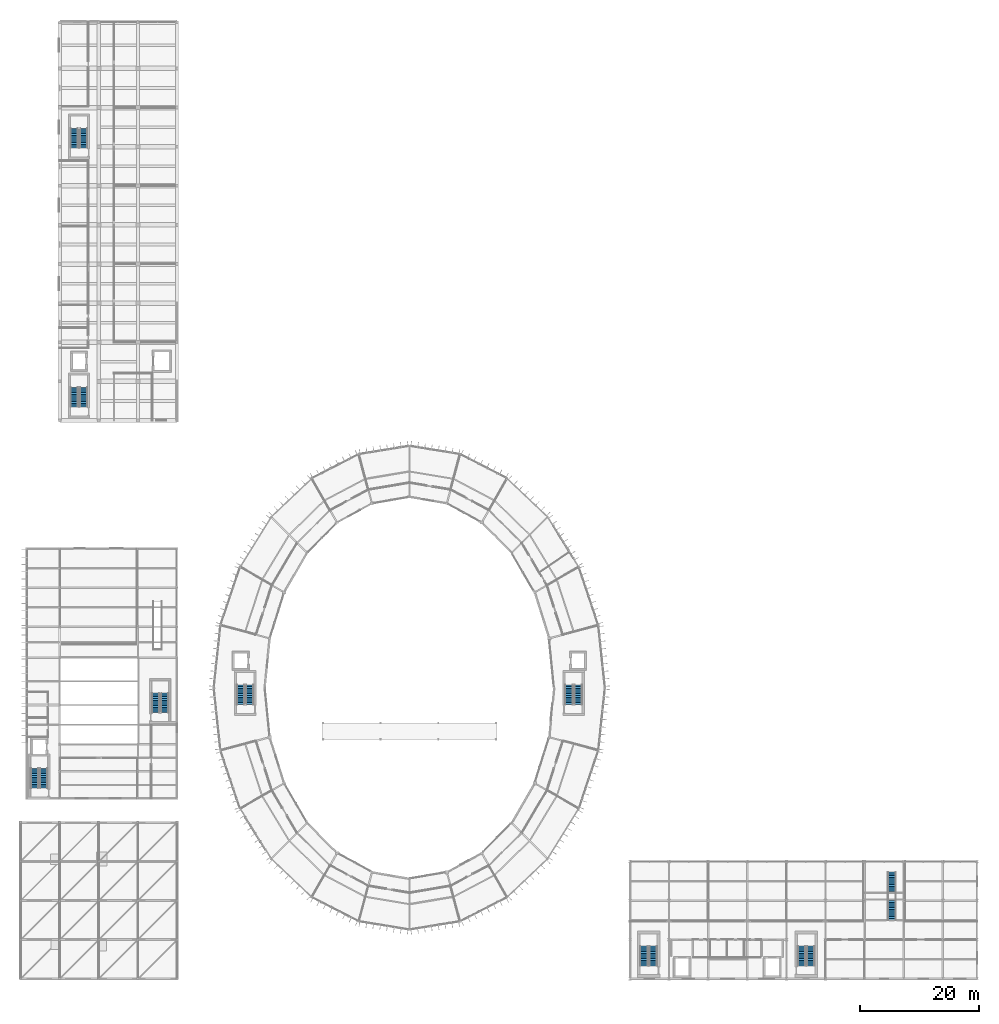
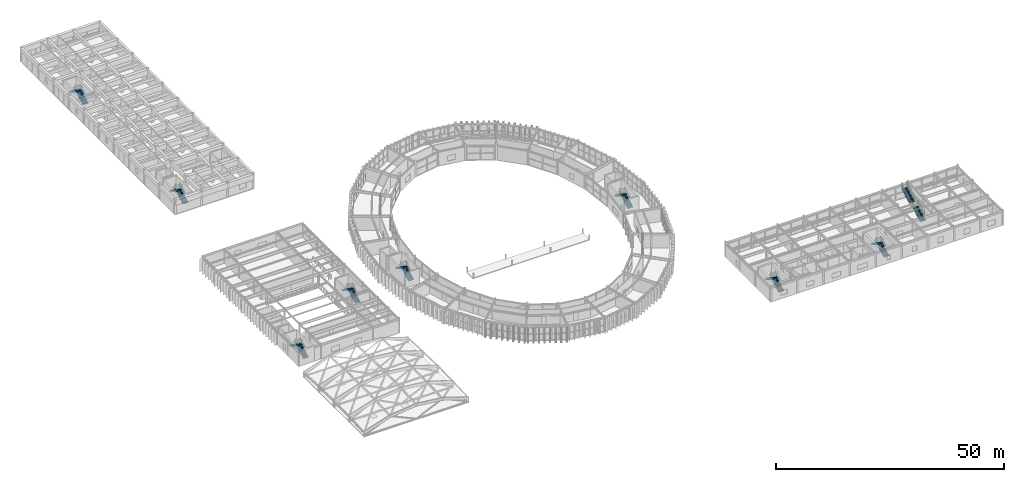
# One storey, part 146 of 157: 18 stair flights, 9 elements without a shape of their own.
"""IFC4 building model written with IfcOpenShell, lengths in metres."""

from ifc_helpers import new_model, si_unit, direction, frame, origin, place, context, subcontext, project, spatial, polyline, outline, extrude, material, type_object, element, aggregate, save


model = new_model("IFC4")

# Units and contexts
model_context = context("Model", 3, precision=1e-05, world=origin(), true_north=direction((0.0, 1.0)))
body_context = subcontext(model_context, "Body", "Model", "MODEL_VIEW")
ifc_project = project(units=[si_unit("LENGTHUNIT", "METRE"), si_unit("AREAUNIT", "SQUARE_METRE"), si_unit("VOLUMEUNIT", "CUBIC_METRE"), si_unit("PLANEANGLEUNIT", "RADIAN"), si_unit("MASSUNIT", "GRAM", prefix="KILO")], contexts=[model_context])

# Site, building, storey
site_placement = place(None, origin())
site = spatial("IfcSite", under=ifc_project, at=site_placement, CompositionType="ELEMENT")
building_placement = place(site_placement, origin())
building = spatial("IfcBuilding", under=site, at=building_placement, Name="Karori Crest Natural Sciences Institute", CompositionType="ELEMENT")
storey_placement = place(building_placement, frame((0.0, 0.0, 13.300048828125)))
storey = spatial("IfcBuildingStorey", under=building, at=storey_placement, Name="L03", CompositionType="ELEMENT", Elevation=13.300048828125)

# Stair, stair flights
ifc_material = material(Name="Concrete 40 MPa", Category="concrete")
stair_type_1 = type_object("IfcStairType", Name="STT-01", PredefinedType="HALF_TURN_STAIR", material=ifc_material)
stair_1_placement = place(storey_placement, origin())
stair_1 = element("IfcStair", 1, at=stair_1_placement, inside=storey, type_object=stair_type_1, Name="Protected stair ST-01-L03", PredefinedType="HALF_TURN_STAIR")
stair_flight_type = type_object("IfcStairFlightType", Name="SFT-01", PredefinedType="STRAIGHT", material=ifc_material)
stair_flight_1_placement = place(storey_placement, frame((94.875, 47.10009765625, 0.0), z_axis=(0.0, 0.0, 1.0), x_axis=(0.0, 1.0, 0.0)))
stair_flight_1 = element("IfcStairFlight", 2, at=stair_flight_1_placement, type_object=stair_flight_type, Name="ST-01-L03 flight 1", NumberOfRisers=12, NumberOfTreads=11, PredefinedType="STRAIGHT", RiserHeight=0.175, TreadLength=0.3, context=body_context, shape_type="SweptSolid", body=[
    extrude(outline(polyline([(0.0, 0.0), (0.0, 0.175048828125), (0.300048828125, 0.175048828125), (0.300048828125, 0.35009765625), (0.60009765625, 0.35009765625), (0.60009765625, 0.52490234375), (0.89990234375, 0.52490234375), (0.89990234375, 0.699951171875), (1.199951171875, 0.699951171875), (1.199951171875, 0.875), (1.5, 0.875), (1.5, 1.050048828125), (1.800048828125, 1.050048828125), (1.800048828125, 1.22509765625), (2.10009765625, 1.22509765625), (2.10009765625, 1.39990234375), (2.39990234375, 1.39990234375), (2.39990234375, 1.574951171875), (2.699951171875, 1.574951171875), (2.699951171875, 1.75), (3.0, 1.75), (3.0, 1.925048828125), (3.300048828125, 1.925048828125), (3.300048828125, 2.10009765625), (3.300048828125, 1.739990234375), (0.3173828125, 0.0), (0.0, 0.0)])), frame((0.0, 0.675048828125, 0.0), z_axis=(0.0, -1.0, 0.0), x_axis=(1.0, 0.0, 0.0)), (0.0, 0.0, 1.0), 1.35009765625),
])
stair_flight_2_placement = place(storey_placement, frame((93.324951171875, 50.39990234375, 2.099853515625), z_axis=(0.0, 0.0, 1.0), x_axis=(0.0, -1.0, 0.0)))
stair_flight_2 = element("IfcStairFlight", 3, at=stair_flight_2_placement, type_object=stair_flight_type, Name="ST-01-L03 flight 2", NumberOfRisers=12, NumberOfTreads=11, PredefinedType="STRAIGHT", RiserHeight=0.175, TreadLength=0.3, context=body_context, shape_type="SweptSolid", body=[
    extrude(outline(polyline([(0.0, 0.0), (0.0, 0.175048828125), (0.300048828125, 0.175048828125), (0.300048828125, 0.35009765625), (0.60009765625, 0.35009765625), (0.60009765625, 0.52490234375), (0.89990234375, 0.52490234375), (0.89990234375, 0.699951171875), (1.199951171875, 0.699951171875), (1.199951171875, 0.875), (1.5, 0.875), (1.5, 1.050048828125), (1.800048828125, 1.050048828125), (1.800048828125, 1.22509765625), (2.10009765625, 1.22509765625), (2.10009765625, 1.39990234375), (2.39990234375, 1.39990234375), (2.39990234375, 1.574951171875), (2.699951171875, 1.574951171875), (2.699951171875, 1.75), (3.0, 1.75), (3.0, 1.925048828125), (3.300048828125, 1.925048828125), (3.300048828125, 2.10009765625), (3.300048828125, 1.739990234375), (0.3173828125, 0.0), (0.0, 0.0)])), frame((0.0, 0.675048828125, 0.0), z_axis=(0.0, -1.0, 0.0), x_axis=(1.0, 0.0, 0.0)), (0.0, 0.0, 1.0), 1.35009765625),
])
aggregate(stair_1, [stair_flight_1, stair_flight_2])

stair_2_placement = place(storey_placement, origin())
stair_2 = element("IfcStair", 4, at=stair_2_placement, inside=storey, type_object=stair_type_1, Name="Protected stair ST-02-L03", PredefinedType="HALF_TURN_STAIR")
stair_flight_3_placement = place(storey_placement, frame((39.47509765625, 47.10009765625, 0.0), z_axis=(0.0, 0.0, 1.0), x_axis=(0.0, 1.0, 0.0)))
stair_flight_3 = element("IfcStairFlight", 5, at=stair_flight_3_placement, type_object=stair_flight_type, Name="ST-02-L03 flight 1", NumberOfRisers=12, NumberOfTreads=11, PredefinedType="STRAIGHT", RiserHeight=0.175, TreadLength=0.3, context=body_context, shape_type="SweptSolid", body=[
    extrude(outline(polyline([(0.0, 0.0), (0.0, 0.175048828125), (0.300048828125, 0.175048828125), (0.300048828125, 0.35009765625), (0.60009765625, 0.35009765625), (0.60009765625, 0.52490234375), (0.89990234375, 0.52490234375), (0.89990234375, 0.699951171875), (1.199951171875, 0.699951171875), (1.199951171875, 0.875), (1.5, 0.875), (1.5, 1.050048828125), (1.800048828125, 1.050048828125), (1.800048828125, 1.22509765625), (2.10009765625, 1.22509765625), (2.10009765625, 1.39990234375), (2.39990234375, 1.39990234375), (2.39990234375, 1.574951171875), (2.699951171875, 1.574951171875), (2.699951171875, 1.75), (3.0, 1.75), (3.0, 1.925048828125), (3.300048828125, 1.925048828125), (3.300048828125, 2.10009765625), (3.300048828125, 1.739990234375), (0.3173828125, 0.0), (0.0, 0.0)])), frame((0.0, 0.675048828125, 0.0), z_axis=(0.0, -1.0, 0.0), x_axis=(1.0, 0.0, 0.0)), (0.0, 0.0, 1.0), 1.35009765625),
])
stair_flight_4_placement = place(storey_placement, frame((37.925048828125, 50.39990234375, 2.099853515625), z_axis=(0.0, 0.0, 1.0), x_axis=(0.0, -1.0, 0.0)))
stair_flight_4 = element("IfcStairFlight", 6, at=stair_flight_4_placement, type_object=stair_flight_type, Name="ST-02-L03 flight 2", NumberOfRisers=12, NumberOfTreads=11, PredefinedType="STRAIGHT", RiserHeight=0.175, TreadLength=0.3, context=body_context, shape_type="SweptSolid", body=[
    extrude(outline(polyline([(0.0, 0.0), (0.0, 0.175048828125), (0.300048828125, 0.175048828125), (0.300048828125, 0.35009765625), (0.60009765625, 0.35009765625), (0.60009765625, 0.52490234375), (0.89990234375, 0.52490234375), (0.89990234375, 0.699951171875), (1.199951171875, 0.699951171875), (1.199951171875, 0.875), (1.5, 0.875), (1.5, 1.050048828125), (1.800048828125, 1.050048828125), (1.800048828125, 1.22509765625), (2.10009765625, 1.22509765625), (2.10009765625, 1.39990234375), (2.39990234375, 1.39990234375), (2.39990234375, 1.574951171875), (2.699951171875, 1.574951171875), (2.699951171875, 1.75), (3.0, 1.75), (3.0, 1.925048828125), (3.300048828125, 1.925048828125), (3.300048828125, 2.10009765625), (3.300048828125, 1.739990234375), (0.3173828125, 0.0), (0.0, 0.0)])), frame((0.0, 0.675048828125, 0.0), z_axis=(0.0, -1.0, 0.0), x_axis=(1.0, 0.0, 0.0)), (0.0, 0.0, 1.0), 1.35009765625),
])
aggregate(stair_2, [stair_flight_3, stair_flight_4])

stair_3_placement = place(storey_placement, origin())
stair_3 = element("IfcStair", 7, at=stair_3_placement, inside=storey, type_object=stair_type_1, Name="Protected stair ST-03-L03", PredefinedType="HALF_TURN_STAIR")
stair_flight_5_placement = place(storey_placement, frame((107.52490234375, 3.0, 0.0), z_axis=(0.0, 0.0, 1.0), x_axis=(0.0, 1.0, 0.0)))
stair_flight_5 = element("IfcStairFlight", 8, at=stair_flight_5_placement, type_object=stair_flight_type, Name="ST-03-L03 flight 1", NumberOfRisers=12, NumberOfTreads=11, PredefinedType="STRAIGHT", RiserHeight=0.175, TreadLength=0.3, context=body_context, shape_type="SweptSolid", body=[
    extrude(outline(polyline([(0.0, 0.0), (0.0, 0.175048828125), (0.300048828125, 0.175048828125), (0.300048828125, 0.35009765625), (0.60009765625, 0.35009765625), (0.60009765625, 0.52490234375), (0.89990234375, 0.52490234375), (0.89990234375, 0.699951171875), (1.199951171875, 0.699951171875), (1.199951171875, 0.875), (1.5, 0.875), (1.5, 1.050048828125), (1.800048828125, 1.050048828125), (1.800048828125, 1.22509765625), (2.10009765625, 1.22509765625), (2.10009765625, 1.39990234375), (2.39990234375, 1.39990234375), (2.39990234375, 1.574951171875), (2.699951171875, 1.574951171875), (2.699951171875, 1.75), (3.0, 1.75), (3.0, 1.925048828125), (3.300048828125, 1.925048828125), (3.300048828125, 2.10009765625), (3.300048828125, 1.739990234375), (0.3173828125, 0.0), (0.0, 0.0)])), frame((0.0, 0.675048828125, 0.0), z_axis=(0.0, -1.0, 0.0), x_axis=(1.0, 0.0, 0.0)), (0.0, 0.0, 1.0), 1.35009765625),
])
stair_flight_6_placement = place(storey_placement, frame((105.97509765625, 6.300048828125, 2.099853515625), z_axis=(0.0, 0.0, 1.0), x_axis=(0.0, -1.0, 0.0)))
stair_flight_6 = element("IfcStairFlight", 9, at=stair_flight_6_placement, type_object=stair_flight_type, Name="ST-03-L03 flight 2", NumberOfRisers=12, NumberOfTreads=11, PredefinedType="STRAIGHT", RiserHeight=0.175, TreadLength=0.3, context=body_context, shape_type="SweptSolid", body=[
    extrude(outline(polyline([(0.0, 0.0), (0.0, 0.175048828125), (0.300048828125, 0.175048828125), (0.300048828125, 0.35009765625), (0.60009765625, 0.35009765625), (0.60009765625, 0.52490234375), (0.89990234375, 0.52490234375), (0.89990234375, 0.699951171875), (1.199951171875, 0.699951171875), (1.199951171875, 0.875), (1.5, 0.875), (1.5, 1.050048828125), (1.800048828125, 1.050048828125), (1.800048828125, 1.22509765625), (2.10009765625, 1.22509765625), (2.10009765625, 1.39990234375), (2.39990234375, 1.39990234375), (2.39990234375, 1.574951171875), (2.699951171875, 1.574951171875), (2.699951171875, 1.75), (3.0, 1.75), (3.0, 1.925048828125), (3.300048828125, 1.925048828125), (3.300048828125, 2.10009765625), (3.300048828125, 1.739990234375), (0.3173828125, 0.0), (0.0, 0.0)])), frame((0.0, 0.675048828125, 0.0), z_axis=(0.0, -1.0, 0.0), x_axis=(1.0, 0.0, 0.0)), (0.0, 0.0, 1.0), 1.35009765625),
])
aggregate(stair_3, [stair_flight_5, stair_flight_6])

stair_4_placement = place(storey_placement, origin())
stair_4 = element("IfcStair", 10, at=stair_4_placement, inside=storey, type_object=stair_type_1, Name="Protected stair ST-04-L03", PredefinedType="HALF_TURN_STAIR")
stair_flight_7_placement = place(storey_placement, frame((134.125, 3.0, 0.0), z_axis=(0.0, 0.0, 1.0), x_axis=(0.0, 1.0, 0.0)))
stair_flight_7 = element("IfcStairFlight", 11, at=stair_flight_7_placement, type_object=stair_flight_type, Name="ST-04-L03 flight 1", NumberOfRisers=12, NumberOfTreads=11, PredefinedType="STRAIGHT", RiserHeight=0.175, TreadLength=0.3, context=body_context, shape_type="SweptSolid", body=[
    extrude(outline(polyline([(0.0, 0.0), (0.0, 0.175048828125), (0.300048828125, 0.175048828125), (0.300048828125, 0.35009765625), (0.60009765625, 0.35009765625), (0.60009765625, 0.52490234375), (0.89990234375, 0.52490234375), (0.89990234375, 0.699951171875), (1.199951171875, 0.699951171875), (1.199951171875, 0.875), (1.5, 0.875), (1.5, 1.050048828125), (1.800048828125, 1.050048828125), (1.800048828125, 1.22509765625), (2.10009765625, 1.22509765625), (2.10009765625, 1.39990234375), (2.39990234375, 1.39990234375), (2.39990234375, 1.574951171875), (2.699951171875, 1.574951171875), (2.699951171875, 1.75), (3.0, 1.75), (3.0, 1.925048828125), (3.300048828125, 1.925048828125), (3.300048828125, 2.10009765625), (3.300048828125, 1.739990234375), (0.3173828125, 0.0), (0.0, 0.0)])), frame((0.0, 0.675048828125, 0.0), z_axis=(0.0, -1.0, 0.0), x_axis=(1.0, 0.0, 0.0)), (0.0, 0.0, 1.0), 1.35009765625),
])
stair_flight_8_placement = place(storey_placement, frame((132.574951171875, 6.300048828125, 2.099853515625), z_axis=(0.0, 0.0, 1.0), x_axis=(0.0, -1.0, 0.0)))
stair_flight_8 = element("IfcStairFlight", 12, at=stair_flight_8_placement, type_object=stair_flight_type, Name="ST-04-L03 flight 2", NumberOfRisers=12, NumberOfTreads=11, PredefinedType="STRAIGHT", RiserHeight=0.175, TreadLength=0.3, context=body_context, shape_type="SweptSolid", body=[
    extrude(outline(polyline([(0.0, 0.0), (0.0, 0.175048828125), (0.300048828125, 0.175048828125), (0.300048828125, 0.35009765625), (0.60009765625, 0.35009765625), (0.60009765625, 0.52490234375), (0.89990234375, 0.52490234375), (0.89990234375, 0.699951171875), (1.199951171875, 0.699951171875), (1.199951171875, 0.875), (1.5, 0.875), (1.5, 1.050048828125), (1.800048828125, 1.050048828125), (1.800048828125, 1.22509765625), (2.10009765625, 1.22509765625), (2.10009765625, 1.39990234375), (2.39990234375, 1.39990234375), (2.39990234375, 1.574951171875), (2.699951171875, 1.574951171875), (2.699951171875, 1.75), (3.0, 1.75), (3.0, 1.925048828125), (3.300048828125, 1.925048828125), (3.300048828125, 2.10009765625), (3.300048828125, 1.739990234375), (0.3173828125, 0.0), (0.0, 0.0)])), frame((0.0, 0.675048828125, 0.0), z_axis=(0.0, -1.0, 0.0), x_axis=(1.0, 0.0, 0.0)), (0.0, 0.0, 1.0), 1.35009765625),
])
aggregate(stair_4, [stair_flight_7, stair_flight_8])

stair_5_placement = place(storey_placement, origin())
stair_5 = element("IfcStair", 13, at=stair_5_placement, inside=storey, type_object=stair_type_1, Name="Protected stair ST-05-L03", PredefinedType="HALF_TURN_STAIR")
stair_flight_9_placement = place(storey_placement, frame((11.425048828125, 97.300048828125, 0.0), z_axis=(0.0, 0.0, 1.0), x_axis=(0.0, 1.0, 0.0)))
stair_flight_9 = element("IfcStairFlight", 14, at=stair_flight_9_placement, type_object=stair_flight_type, Name="ST-05-L03 flight 1", NumberOfRisers=12, NumberOfTreads=11, PredefinedType="STRAIGHT", RiserHeight=0.175, TreadLength=0.3, context=body_context, shape_type="SweptSolid", body=[
    extrude(outline(polyline([(0.0, 0.0), (0.0, 0.175048828125), (0.300048828125, 0.175048828125), (0.300048828125, 0.35009765625), (0.60009765625, 0.35009765625), (0.60009765625, 0.52490234375), (0.89990234375, 0.52490234375), (0.89990234375, 0.699951171875), (1.199951171875, 0.699951171875), (1.199951171875, 0.875), (1.5, 0.875), (1.5, 1.050048828125), (1.800048828125, 1.050048828125), (1.800048828125, 1.22509765625), (2.10009765625, 1.22509765625), (2.10009765625, 1.39990234375), (2.39990234375, 1.39990234375), (2.39990234375, 1.574951171875), (2.699951171875, 1.574951171875), (2.699951171875, 1.75), (3.0, 1.75), (3.0, 1.925048828125), (3.300048828125, 1.925048828125), (3.300048828125, 2.10009765625), (3.300048828125, 1.739990234375), (0.3173828125, 0.0), (0.0, 0.0)])), frame((0.0, 0.675048828125, 0.0), z_axis=(0.0, -1.0, 0.0), x_axis=(1.0, 0.0, 0.0)), (0.0, 0.0, 1.0), 1.35009765625),
])
stair_flight_10_placement = place(storey_placement, frame((9.875, 100.60009765625, 2.099853515625), z_axis=(0.0, 0.0, 1.0), x_axis=(0.0, -1.0, 0.0)))
stair_flight_10 = element("IfcStairFlight", 15, at=stair_flight_10_placement, type_object=stair_flight_type, Name="ST-05-L03 flight 2", NumberOfRisers=12, NumberOfTreads=11, PredefinedType="STRAIGHT", RiserHeight=0.175, TreadLength=0.3, context=body_context, shape_type="SweptSolid", body=[
    extrude(outline(polyline([(0.0, 0.0), (0.0, 0.175048828125), (0.300048828125, 0.175048828125), (0.300048828125, 0.35009765625), (0.60009765625, 0.35009765625), (0.60009765625, 0.52490234375), (0.89990234375, 0.52490234375), (0.89990234375, 0.699951171875), (1.199951171875, 0.699951171875), (1.199951171875, 0.875), (1.5, 0.875), (1.5, 1.050048828125), (1.800048828125, 1.050048828125), (1.800048828125, 1.22509765625), (2.10009765625, 1.22509765625), (2.10009765625, 1.39990234375), (2.39990234375, 1.39990234375), (2.39990234375, 1.574951171875), (2.699951171875, 1.574951171875), (2.699951171875, 1.75), (3.0, 1.75), (3.0, 1.925048828125), (3.300048828125, 1.925048828125), (3.300048828125, 2.10009765625), (3.300048828125, 1.739990234375), (0.3173828125, 0.0), (0.0, 0.0)])), frame((0.0, 0.675048828125, 0.0), z_axis=(0.0, -1.0, 0.0), x_axis=(1.0, 0.0, 0.0)), (0.0, 0.0, 1.0), 1.35009765625),
])
aggregate(stair_5, [stair_flight_9, stair_flight_10])

stair_6_placement = place(storey_placement, origin())
stair_6 = element("IfcStair", 16, at=stair_6_placement, inside=storey, type_object=stair_type_1, Name="Protected stair ST-06-L03", PredefinedType="HALF_TURN_STAIR")
stair_flight_11_placement = place(storey_placement, frame((11.425048828125, 141.0, 0.0), z_axis=(0.0, 0.0, 1.0), x_axis=(0.0, 1.0, 0.0)))
stair_flight_11 = element("IfcStairFlight", 17, at=stair_flight_11_placement, type_object=stair_flight_type, Name="ST-06-L03 flight 1", NumberOfRisers=12, NumberOfTreads=11, PredefinedType="STRAIGHT", RiserHeight=0.175, TreadLength=0.3, context=body_context, shape_type="SweptSolid", body=[
    extrude(outline(polyline([(0.0, 0.0), (0.0, 0.175048828125), (0.300048828125, 0.175048828125), (0.300048828125, 0.35009765625), (0.60009765625, 0.35009765625), (0.60009765625, 0.52490234375), (0.89990234375, 0.52490234375), (0.89990234375, 0.699951171875), (1.199951171875, 0.699951171875), (1.199951171875, 0.875), (1.5, 0.875), (1.5, 1.050048828125), (1.800048828125, 1.050048828125), (1.800048828125, 1.22509765625), (2.10009765625, 1.22509765625), (2.10009765625, 1.39990234375), (2.39990234375, 1.39990234375), (2.39990234375, 1.574951171875), (2.699951171875, 1.574951171875), (2.699951171875, 1.75), (3.0, 1.75), (3.0, 1.925048828125), (3.300048828125, 1.925048828125), (3.300048828125, 2.10009765625), (3.300048828125, 1.739990234375), (0.3173828125, 0.0), (0.0, 0.0)])), frame((0.0, 0.675048828125, 0.0), z_axis=(0.0, -1.0, 0.0), x_axis=(1.0, 0.0, 0.0)), (0.0, 0.0, 1.0), 1.35009765625),
])
stair_flight_12_placement = place(storey_placement, frame((9.875, 144.300048828125, 2.099853515625), z_axis=(0.0, 0.0, 1.0), x_axis=(0.0, -1.0, 0.0)))
stair_flight_12 = element("IfcStairFlight", 18, at=stair_flight_12_placement, type_object=stair_flight_type, Name="ST-06-L03 flight 2", NumberOfRisers=12, NumberOfTreads=11, PredefinedType="STRAIGHT", RiserHeight=0.175, TreadLength=0.3, context=body_context, shape_type="SweptSolid", body=[
    extrude(outline(polyline([(0.0, 0.0), (0.0, 0.175048828125), (0.300048828125, 0.175048828125), (0.300048828125, 0.35009765625), (0.60009765625, 0.35009765625), (0.60009765625, 0.52490234375), (0.89990234375, 0.52490234375), (0.89990234375, 0.699951171875), (1.199951171875, 0.699951171875), (1.199951171875, 0.875), (1.5, 0.875), (1.5, 1.050048828125), (1.800048828125, 1.050048828125), (1.800048828125, 1.22509765625), (2.10009765625, 1.22509765625), (2.10009765625, 1.39990234375), (2.39990234375, 1.39990234375), (2.39990234375, 1.574951171875), (2.699951171875, 1.574951171875), (2.699951171875, 1.75), (3.0, 1.75), (3.0, 1.925048828125), (3.300048828125, 1.925048828125), (3.300048828125, 2.10009765625), (3.300048828125, 1.739990234375), (0.3173828125, 0.0), (0.0, 0.0)])), frame((0.0, 0.675048828125, 0.0), z_axis=(0.0, -1.0, 0.0), x_axis=(1.0, 0.0, 0.0)), (0.0, 0.0, 1.0), 1.35009765625),
])
aggregate(stair_6, [stair_flight_11, stair_flight_12])

stair_7_placement = place(storey_placement, origin())
stair_7 = element("IfcStair", 19, at=stair_7_placement, inside=storey, type_object=stair_type_1, Name="Protected stair ST-07-L03", PredefinedType="HALF_TURN_STAIR")
stair_flight_13_placement = place(storey_placement, frame((4.72509765625, 33.0, 0.0), z_axis=(0.0, 0.0, 1.0), x_axis=(0.0, 1.0, 0.0)))
stair_flight_13 = element("IfcStairFlight", 20, at=stair_flight_13_placement, type_object=stair_flight_type, Name="ST-07-L03 flight 1", NumberOfRisers=12, NumberOfTreads=11, PredefinedType="STRAIGHT", RiserHeight=0.175, TreadLength=0.3, context=body_context, shape_type="SweptSolid", body=[
    extrude(outline(polyline([(0.0, 0.0), (0.0, 0.175048828125), (0.300048828125, 0.175048828125), (0.300048828125, 0.35009765625), (0.60009765625, 0.35009765625), (0.60009765625, 0.52490234375), (0.89990234375, 0.52490234375), (0.89990234375, 0.699951171875), (1.199951171875, 0.699951171875), (1.199951171875, 0.875), (1.5, 0.875), (1.5, 1.050048828125), (1.800048828125, 1.050048828125), (1.800048828125, 1.22509765625), (2.10009765625, 1.22509765625), (2.10009765625, 1.39990234375), (2.39990234375, 1.39990234375), (2.39990234375, 1.574951171875), (2.699951171875, 1.574951171875), (2.699951171875, 1.75), (3.0, 1.75), (3.0, 1.925048828125), (3.300048828125, 1.925048828125), (3.300048828125, 2.10009765625), (3.300048828125, 1.739990234375), (0.3173828125, 0.0), (0.0, 0.0)])), frame((0.0, 0.675048828125, 0.0), z_axis=(0.0, -1.0, 0.0), x_axis=(1.0, 0.0, 0.0)), (0.0, 0.0, 1.0), 1.35009765625),
])
stair_flight_14_placement = place(storey_placement, frame((3.175048828125, 36.300048828125, 2.099853515625), z_axis=(0.0, 0.0, 1.0), x_axis=(0.0, -1.0, 0.0)))
stair_flight_14 = element("IfcStairFlight", 21, at=stair_flight_14_placement, type_object=stair_flight_type, Name="ST-07-L03 flight 2", NumberOfRisers=12, NumberOfTreads=11, PredefinedType="STRAIGHT", RiserHeight=0.175, TreadLength=0.3, context=body_context, shape_type="SweptSolid", body=[
    extrude(outline(polyline([(0.0, 0.0), (0.0, 0.175048828125), (0.300048828125, 0.175048828125), (0.300048828125, 0.35009765625), (0.60009765625, 0.35009765625), (0.60009765625, 0.52490234375), (0.89990234375, 0.52490234375), (0.89990234375, 0.699951171875), (1.199951171875, 0.699951171875), (1.199951171875, 0.875), (1.5, 0.875), (1.5, 1.050048828125), (1.800048828125, 1.050048828125), (1.800048828125, 1.22509765625), (2.10009765625, 1.22509765625), (2.10009765625, 1.39990234375), (2.39990234375, 1.39990234375), (2.39990234375, 1.574951171875), (2.699951171875, 1.574951171875), (2.699951171875, 1.75), (3.0, 1.75), (3.0, 1.925048828125), (3.300048828125, 1.925048828125), (3.300048828125, 2.10009765625), (3.300048828125, 1.739990234375), (0.3173828125, 0.0), (0.0, 0.0)])), frame((0.0, 0.675048828125, 0.0), z_axis=(0.0, -1.0, 0.0), x_axis=(1.0, 0.0, 0.0)), (0.0, 0.0, 1.0), 1.35009765625),
])
aggregate(stair_7, [stair_flight_13, stair_flight_14])

stair_8_placement = place(storey_placement, origin())
stair_8 = element("IfcStair", 22, at=stair_8_placement, inside=storey, type_object=stair_type_1, Name="Protected stair ST-08-L03", PredefinedType="HALF_TURN_STAIR")
stair_flight_15_placement = place(storey_placement, frame((25.125, 45.699951171875, 0.0), z_axis=(0.0, 0.0, 1.0), x_axis=(0.0, 1.0, 0.0)))
stair_flight_15 = element("IfcStairFlight", 23, at=stair_flight_15_placement, type_object=stair_flight_type, Name="ST-08-L03 flight 1", NumberOfRisers=12, NumberOfTreads=11, PredefinedType="STRAIGHT", RiserHeight=0.175, TreadLength=0.3, context=body_context, shape_type="SweptSolid", body=[
    extrude(outline(polyline([(0.0, 0.0), (0.0, 0.175048828125), (0.300048828125, 0.175048828125), (0.300048828125, 0.35009765625), (0.60009765625, 0.35009765625), (0.60009765625, 0.52490234375), (0.89990234375, 0.52490234375), (0.89990234375, 0.699951171875), (1.199951171875, 0.699951171875), (1.199951171875, 0.875), (1.5, 0.875), (1.5, 1.050048828125), (1.800048828125, 1.050048828125), (1.800048828125, 1.22509765625), (2.10009765625, 1.22509765625), (2.10009765625, 1.39990234375), (2.39990234375, 1.39990234375), (2.39990234375, 1.574951171875), (2.699951171875, 1.574951171875), (2.699951171875, 1.75), (3.0, 1.75), (3.0, 1.925048828125), (3.300048828125, 1.925048828125), (3.300048828125, 2.10009765625), (3.300048828125, 1.739990234375), (0.3173828125, 0.0), (0.0, 0.0)])), frame((0.0, 0.675048828125, 0.0), z_axis=(0.0, -1.0, 0.0), x_axis=(1.0, 0.0, 0.0)), (0.0, 0.0, 1.0), 1.35009765625),
])
stair_flight_16_placement = place(storey_placement, frame((23.574951171875, 49.0, 2.099853515625), z_axis=(0.0, 0.0, 1.0), x_axis=(0.0, -1.0, 0.0)))
stair_flight_16 = element("IfcStairFlight", 24, at=stair_flight_16_placement, type_object=stair_flight_type, Name="ST-08-L03 flight 2", NumberOfRisers=12, NumberOfTreads=11, PredefinedType="STRAIGHT", RiserHeight=0.175, TreadLength=0.3, context=body_context, shape_type="SweptSolid", body=[
    extrude(outline(polyline([(0.0, 0.0), (0.0, 0.175048828125), (0.300048828125, 0.175048828125), (0.300048828125, 0.35009765625), (0.60009765625, 0.35009765625), (0.60009765625, 0.52490234375), (0.89990234375, 0.52490234375), (0.89990234375, 0.699951171875), (1.199951171875, 0.699951171875), (1.199951171875, 0.875), (1.5, 0.875), (1.5, 1.050048828125), (1.800048828125, 1.050048828125), (1.800048828125, 1.22509765625), (2.10009765625, 1.22509765625), (2.10009765625, 1.39990234375), (2.39990234375, 1.39990234375), (2.39990234375, 1.574951171875), (2.699951171875, 1.574951171875), (2.699951171875, 1.75), (3.0, 1.75), (3.0, 1.925048828125), (3.300048828125, 1.925048828125), (3.300048828125, 2.10009765625), (3.300048828125, 1.739990234375), (0.3173828125, 0.0), (0.0, 0.0)])), frame((0.0, 0.675048828125, 0.0), z_axis=(0.0, -1.0, 0.0), x_axis=(1.0, 0.0, 0.0)), (0.0, 0.0, 1.0), 1.35009765625),
])
aggregate(stair_8, [stair_flight_15, stair_flight_16])

stair_type_2 = type_object("IfcStairType", Name="STT-05", PredefinedType="STRAIGHT_RUN_STAIR", material=ifc_material)
stair_9_placement = place(storey_placement, origin())
stair_9 = element("IfcStair", 25, at=stair_9_placement, inside=storey, type_object=stair_type_2, Name="Feature straight stair ST-15", PredefinedType="STRAIGHT_RUN_STAIR")
stair_flight_17_placement = place(storey_placement, frame((147.800048828125, 10.699951171875, 0.0), z_axis=(0.0, 0.0, 1.0), x_axis=(0.0, 1.0, 0.0)))
stair_flight_17 = element("IfcStairFlight", 26, at=stair_flight_17_placement, type_object=stair_flight_type, Name="ST-15 flight 1", NumberOfRisers=12, NumberOfTreads=11, PredefinedType="STRAIGHT", RiserHeight=0.175, TreadLength=0.3, context=body_context, shape_type="SweptSolid", body=[
    extrude(outline(polyline([(0.0, 0.0), (0.0, 0.175048828125), (0.300048828125, 0.175048828125), (0.300048828125, 0.35009765625), (0.60009765625, 0.35009765625), (0.60009765625, 0.52490234375), (0.89990234375, 0.52490234375), (0.89990234375, 0.699951171875), (1.199951171875, 0.699951171875), (1.199951171875, 0.875), (1.5, 0.875), (1.5, 1.050048828125), (1.800048828125, 1.050048828125), (1.800048828125, 1.22509765625), (2.10009765625, 1.22509765625), (2.10009765625, 1.39990234375), (2.39990234375, 1.39990234375), (2.39990234375, 1.574951171875), (2.699951171875, 1.574951171875), (2.699951171875, 1.75), (3.0, 1.75), (3.0, 1.925048828125), (3.300048828125, 1.925048828125), (3.300048828125, 2.10009765625), (3.300048828125, 1.739990234375), (0.3173828125, 0.0), (0.0, 0.0)])), frame((0.0, 0.675048828125, 0.0), z_axis=(0.0, -1.0, 0.0), x_axis=(1.0, 0.0, 0.0)), (0.0, 0.0, 1.0), 1.35009765625),
])
stair_flight_18_placement = place(storey_placement, frame((147.800048828125, 15.5, 2.099853515625), z_axis=(0.0, 0.0, 1.0), x_axis=(0.0, 1.0, 0.0)))
stair_flight_18 = element("IfcStairFlight", 27, at=stair_flight_18_placement, type_object=stair_flight_type, Name="ST-15 flight 2", NumberOfRisers=12, NumberOfTreads=11, PredefinedType="STRAIGHT", RiserHeight=0.175, TreadLength=0.3, context=body_context, shape_type="SweptSolid", body=[
    extrude(outline(polyline([(0.0, 0.0), (0.0, 0.175048828125), (0.300048828125, 0.175048828125), (0.300048828125, 0.35009765625), (0.60009765625, 0.35009765625), (0.60009765625, 0.52490234375), (0.89990234375, 0.52490234375), (0.89990234375, 0.699951171875), (1.199951171875, 0.699951171875), (1.199951171875, 0.875), (1.5, 0.875), (1.5, 1.050048828125), (1.800048828125, 1.050048828125), (1.800048828125, 1.22509765625), (2.10009765625, 1.22509765625), (2.10009765625, 1.39990234375), (2.39990234375, 1.39990234375), (2.39990234375, 1.574951171875), (2.699951171875, 1.574951171875), (2.699951171875, 1.75), (3.0, 1.75), (3.0, 1.925048828125), (3.300048828125, 1.925048828125), (3.300048828125, 2.10009765625), (3.300048828125, 1.739990234375), (0.3173828125, 0.0), (0.0, 0.0)])), frame((0.0, 0.675048828125, 0.0), z_axis=(0.0, -1.0, 0.0), x_axis=(1.0, 0.0, 0.0)), (0.0, 0.0, 1.0), 1.35009765625),
])
aggregate(stair_9, [stair_flight_17, stair_flight_18])

save(model, "model.ifc")
